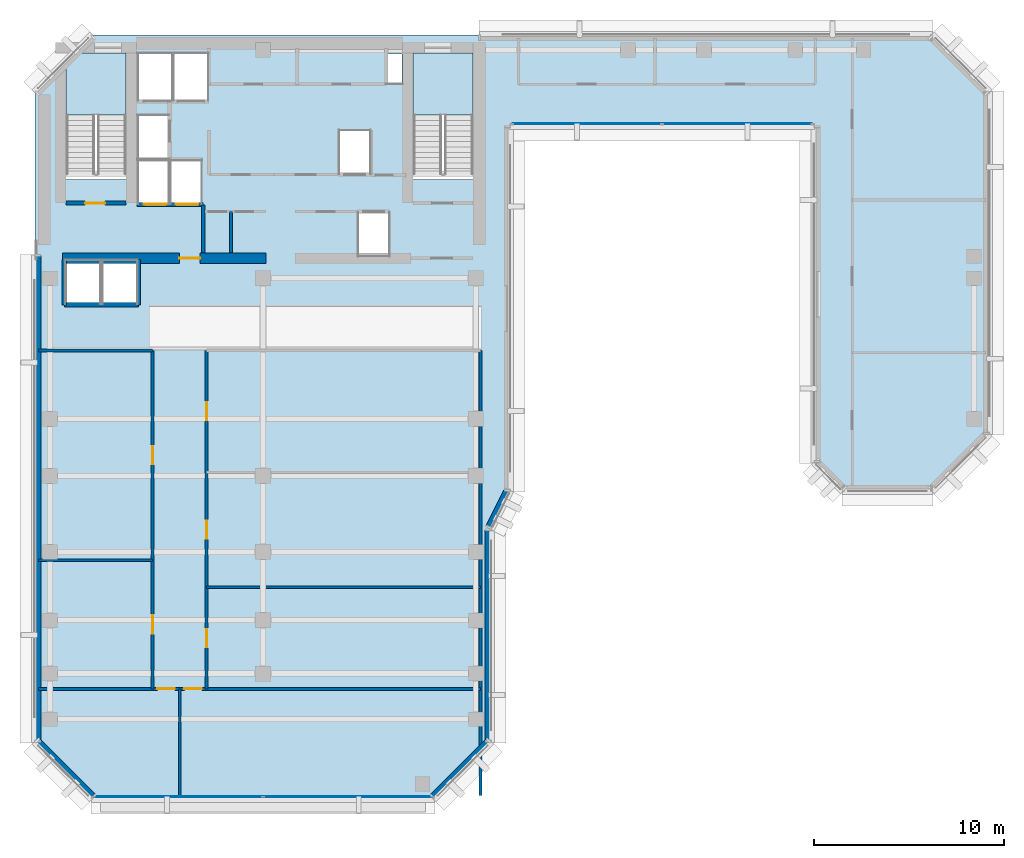
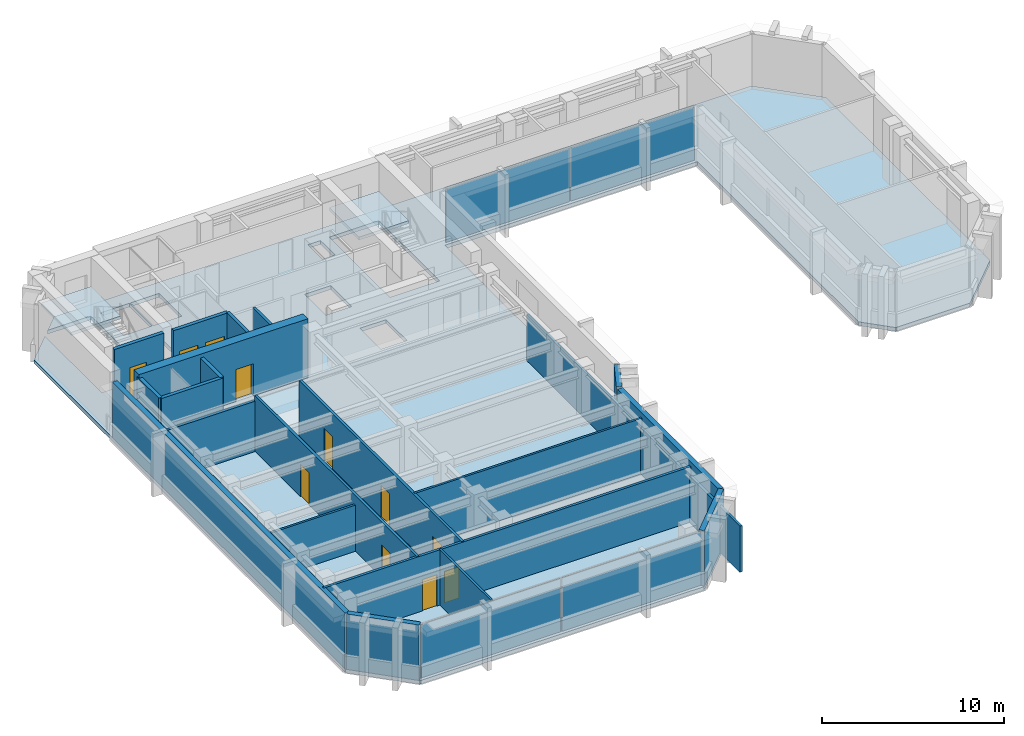
# One storey, part 5 of 11: 21 walls, 11 doors, 4 plates, 3 slabs, 11 openings, 4 elements without a shape of their own.
"""IFC4 building model written with IfcOpenShell, lengths in metres."""

from ifc_helpers import new_model, si_unit, direction, frame, frame_2d, origin, origin_2d, place, context, subcontext, project, spatial, polyline, rectangle, outline, extrude, material, layer, layer_set, type_object, element, fill, aggregate, save


model = new_model("IFC4")

# Units and contexts
model_context = context("Model", 3, precision=1e-05, world=origin(), true_north=direction((0.0, 1.0)))
body_context = subcontext(model_context, "Body", "Model", "MODEL_VIEW")
ifc_project = project(units=[si_unit("LENGTHUNIT", "METRE"), si_unit("AREAUNIT", "SQUARE_METRE"), si_unit("VOLUMEUNIT", "CUBIC_METRE"), si_unit("PLANEANGLEUNIT", "RADIAN"), si_unit("MASSUNIT", "GRAM", prefix="KILO")], contexts=[model_context])

# Site, building, storey
site_placement = place(None, origin())
site = spatial("IfcSite", under=ifc_project, at=site_placement, CompositionType="ELEMENT")
building_placement = place(site_placement, origin())
building = spatial("IfcBuilding", under=site, at=building_placement, Name="Kefirva Bronze Tower", CompositionType="ELEMENT")
storey_placement = place(building_placement, frame((0.0, 0.0, 239.580078125)))
storey = spatial("IfcBuildingStorey", under=building, at=storey_placement, Name="L58", CompositionType="ELEMENT", Elevation=239.580078125)

# Stair, slab
ifc_material_1 = material(Name="Concrete C40/50", Category="concrete")
stair_type = type_object("IfcStairType", Name="RC Dogleg Protected Stair 24R", PredefinedType="HALF_TURN_STAIR", material=ifc_material_1)
stair_1_placement = place(storey_placement, origin())
stair_1 = element("IfcStair", 1, at=stair_1_placement, inside=storey, type_object=stair_type, Name="L58 Protected Exit Stair 1", PredefinedType="HALF_TURN_STAIR")
ifc_layer_1 = layer(ifc_material_1, 0.199951171875, Name="Concrete C40/50")
ifc_layer_set_1 = layer_set([ifc_layer_1], Name="Concrete C40/50")
slab_type_1 = type_object("IfcSlabType", Name="RC Stair Landing Slab 200mm", PredefinedType="LANDING", material=ifc_layer_set_1)
slab_1_placement = place(storey_placement, frame((0.0, 0.0, 1.780029296875)))
slab_1 = element("IfcSlab", 2, at=slab_1_placement, type_object=slab_type_1, Name="ST-1 landing 1", PredefinedType="LANDING", context=body_context, shape_type="SweptSolid", body=[
    extrude(outline(polyline([(4.800048828125, 41.780029296875), (4.800048828125, 45.050048828125), (1.64990234375, 45.050048828125), (1.64990234375, 41.780029296875), (4.800048828125, 41.780029296875)])), origin(), (0.0, 0.0, 1.0), 0.199951171875),
])
aggregate(stair_1, [slab_1])

stair_2_placement = place(storey_placement, origin())
stair_2 = element("IfcStair", 3, at=stair_2_placement, inside=storey, type_object=stair_type, Name="L58 Protected Exit Stair 2", PredefinedType="HALF_TURN_STAIR")
slab_2_placement = place(storey_placement, frame((0.0, 0.0, 1.780029296875)))
slab_2 = element("IfcSlab", 4, at=slab_2_placement, type_object=slab_type_1, Name="ST-2 landing 1", PredefinedType="LANDING", context=body_context, shape_type="SweptSolid", body=[
    extrude(outline(polyline([(23.050048828125, 41.780029296875), (23.050048828125, 45.050048828125), (19.89990234375, 45.050048828125), (19.89990234375, 41.780029296875), (23.050048828125, 41.780029296875)])), origin(), (0.0, 0.0, 1.0), 0.199951171875),
])
aggregate(stair_2, [slab_2])

# Slab
ifc_layer_2 = layer(ifc_material_1, 0.25, Name="Concrete C40/50")
ifc_layer_set_2 = layer_set([ifc_layer_2], Name="Concrete C40/50")
slab_type_2 = type_object("IfcSlabType", Name="RC Tower Floor Slab 250mm", PredefinedType="FLOOR", material=ifc_layer_set_2)
slab_3_placement = place(storey_placement, frame((0.0, 0.0, -0.25)))
element("IfcSlab", 5, at=slab_3_placement, inside=storey, type_object=slab_type_2, Name="L58 Structural Floor Slab", PredefinedType="FLOOR", context=body_context, shape_type="SweptSolid", body=[
    extrude(outline(polyline([(0.0, 8.800048828125), (0.0, 43.0), (1.64990234375, 44.64990234375), (1.64990234375, 38.39990234375), (4.800048828125, 38.39990234375), (4.800048828125, 45.050048828125), (2.050048828125, 45.050048828125), (3.0, 46.0), (47.199951171875, 46.0), (50.199951171875, 43.0), (50.199951171875, 25.0), (47.199951171875, 22.0), (42.5, 22.0), (41.0, 23.5), (41.0, 41.199951171875), (25.0, 41.199951171875), (25.0, 22.0), (24.0, 20.0), (24.0, 8.800048828125), (21.0, 5.800048828125), (3.0, 5.800048828125), (0.0, 8.800048828125)]), holes=[polyline([(23.050048828125, 45.050048828125), (19.89990234375, 45.050048828125), (19.89990234375, 38.39990234375), (23.050048828125, 38.39990234375), (23.050048828125, 45.050048828125)]), polyline([(19.320068359375, 43.419921875), (19.320068359375, 45.0), (18.52001953125, 45.0), (18.52001953125, 43.419921875), (19.320068359375, 43.419921875)]), polyline([(18.64990234375, 36.64990234375), (17.0, 36.64990234375), (17.0, 34.35009765625), (18.64990234375, 34.35009765625), (18.64990234375, 36.64990234375)]), polyline([(17.64990234375, 38.679931640625), (17.64990234375, 40.97998046875), (16.0, 40.97998046875), (16.0, 38.679931640625), (17.64990234375, 38.679931640625)]), polyline([(9.1201171875, 42.550048828125), (9.1201171875, 45.050048828125), (7.300048828125, 45.050048828125), (7.300048828125, 42.550048828125), (9.1201171875, 42.550048828125)]), polyline([(8.780029296875, 37.10009765625), (8.780029296875, 39.39990234375), (7.139892578125, 39.39990234375), (7.139892578125, 37.10009765625), (8.780029296875, 37.10009765625)]), polyline([(7.239990234375, 42.550048828125), (7.239990234375, 45.050048828125), (5.419921875, 45.050048828125), (5.419921875, 42.550048828125), (7.239990234375, 42.550048828125)]), polyline([(7.06005859375, 37.10009765625), (7.06005859375, 39.39990234375), (5.419921875, 39.39990234375), (5.419921875, 37.10009765625), (7.06005859375, 37.10009765625)]), polyline([(7.06005859375, 41.780029296875), (5.419921875, 41.780029296875), (5.419921875, 39.47998046875), (7.06005859375, 39.47998046875), (7.06005859375, 41.780029296875)]), polyline([(5.39990234375, 31.85009765625), (5.39990234375, 34.14990234375), (3.550048828125, 34.14990234375), (3.550048828125, 31.85009765625), (5.39990234375, 31.85009765625)]), polyline([(3.449951171875, 34.14990234375), (1.60009765625, 34.14990234375), (1.60009765625, 31.85009765625), (3.449951171875, 31.85009765625), (3.449951171875, 34.14990234375)])]), origin(), (0.0, 0.0, 1.0), 0.25),
])

# Curtain wall, plates
ifc_material_2 = material(Name="Bronze anodised aluminium", Category="aluminium")
ifc_layer_3 = layer(ifc_material_2, 0.179931640625, Name="Bronze anodised aluminium")
ifc_layer_set_3 = layer_set([ifc_layer_3], Name="Bronze anodised aluminium")
curtain_wall_type = type_object("IfcCurtainWallType", Name="Unitised Bronze Ribbon Curtain Wall Zone 3", PredefinedType="USERDEFINED", material=ifc_layer_set_3)
curtain_wall_1_placement = place(storey_placement, origin())
curtain_wall_1 = element("IfcCurtainWall", 6, at=curtain_wall_1_placement, inside=storey, type_object=curtain_wall_type, Name="L58 Curtain Wall 1", ObjectType="UNITISED CURTAIN WALL", PredefinedType="USERDEFINED")
ifc_material_3 = material(Name="Laminated low-E double glazing", Category="glass")
ifc_layer_4 = layer(ifc_material_3, 0.031982421875, Name="Laminated low-E double glazing")
ifc_layer_set_4 = layer_set([ifc_layer_4], Name="Laminated low-E double glazing")
plate_type = type_object("IfcPlateType", Name="Solar-Control Low-E Vision Panel 32mm", PredefinedType="CURTAIN_PANEL", material=ifc_layer_set_4)
plate_1_placement = place(storey_placement, frame((7.546142578125, 5.919921875, 0.074951171875), z_axis=(0.0, 0.0, 1.0), x_axis=(1.0, 0.0, 0.0)))
plate_1 = element("IfcPlate", 7, at=plate_1_placement, type_object=plate_type, Name="CW-03 panel 1.1", PredefinedType="CURTAIN_PANEL", context=body_context, shape_type="SweptSolid", body=[
    extrude(rectangle(XDim=8.83251953125, YDim=0.031982421875, at=origin_2d()), origin(), (0.0, 0.0, 1.0), 3.56005859375),
])
plate_2_placement = place(storey_placement, frame((16.453857421875, 5.919921875, 0.074951171875), z_axis=(0.0, 0.0, 1.0), x_axis=(1.0, 0.0, 0.0)))
plate_2 = element("IfcPlate", 8, at=plate_2_placement, type_object=plate_type, Name="CW-03 panel 2.1", PredefinedType="CURTAIN_PANEL", context=body_context, shape_type="SweptSolid", body=[
    extrude(rectangle(XDim=8.83251953125, YDim=0.031982421875, at=origin_2d()), origin(), (0.0, 0.0, 1.0), 3.56005859375),
])
aggregate(curtain_wall_1, [plate_1, plate_2])

curtain_wall_2_placement = place(storey_placement, origin())
curtain_wall_2 = element("IfcCurtainWall", 9, at=curtain_wall_2_placement, inside=storey, type_object=curtain_wall_type, Name="L58 Curtain Wall 2", ObjectType="UNITISED CURTAIN WALL", PredefinedType="USERDEFINED")
plate_3_placement = place(storey_placement, frame((29.046142578125, 41.320068359375, 0.074951171875), z_axis=(0.0, 0.0, 1.0), x_axis=(1.0, 0.0, 0.0)))
plate_3 = element("IfcPlate", 10, at=plate_3_placement, type_object=plate_type, Name="CW-03 panel 1.1", PredefinedType="CURTAIN_PANEL", context=body_context, shape_type="SweptSolid", body=[
    extrude(rectangle(XDim=7.83251953125, YDim=0.031982421875, at=origin_2d()), origin(), (0.0, 0.0, 1.0), 3.56005859375),
])
plate_4_placement = place(storey_placement, frame((36.953857421875, 41.320068359375, 0.074951171875), z_axis=(0.0, 0.0, 1.0), x_axis=(1.0, 0.0, 0.0)))
plate_4 = element("IfcPlate", 11, at=plate_4_placement, type_object=plate_type, Name="CW-03 panel 2.1", PredefinedType="CURTAIN_PANEL", context=body_context, shape_type="SweptSolid", body=[
    extrude(rectangle(XDim=7.83251953125, YDim=0.031982421875, at=origin_2d()), origin(), (0.0, 0.0, 1.0), 3.56005859375),
])
aggregate(curtain_wall_2, [plate_3, plate_4])

# Walls
ifc_material_4 = material(Name="Gypsum acoustic partition")
ifc_layer_5 = layer(ifc_material_4, 0.1298828125, Name="Gypsum acoustic partition")
ifc_layer_set_5 = layer_set([ifc_layer_5], Name="Gypsum acoustic partition")
wall_type_1 = type_object("IfcWallType", Name="Acoustic Office Partition 130mm", PredefinedType="PARTITIONING", material=ifc_layer_set_5)
wall_1_placement = place(storey_placement, frame((7.6201171875, 5.989990234375, 0.0), z_axis=(0.0, 0.0, 1.0), x_axis=(0.0, 1.0, 0.0)))
element("IfcWall", 12, at=wall_1_placement, inside=storey, type_object=wall_type_1, Name="L58 Partition W-L58-CAPDV", PredefinedType="PARTITIONING", context=body_context, shape_type="SweptSolid", body=[
    extrude(rectangle(XDim=5.610107421875, YDim=0.1298828125, at=frame_2d((2.80517578125, 0.0))), origin(), (0.0, 0.0, 1.0), 3.7099609375),
])
wall_2_placement = place(storey_placement, frame((0.18994140625, 18.364013671875, 0.0), z_axis=(0.0, 0.0, 1.0), x_axis=(1.0, 0.0, 0.0)))
element("IfcWall", 13, at=wall_2_placement, inside=storey, type_object=wall_type_1, Name="L58 Partition W-L58-SWD1", PredefinedType="PARTITIONING", context=body_context, shape_type="SweptSolid", body=[
    extrude(rectangle(XDim=6.010009765625, YDim=0.1298828125, at=frame_2d((3.0048828125, 0.0))), origin(), (0.0, 0.0, 1.0), 3.094970703125),
])
wall_3_placement = place(storey_placement, frame((9.0400390625, 16.93994140625, 0.0), z_axis=(0.0, 0.0, 1.0), x_axis=(1.0, 0.0, 0.0)))
element("IfcWall", 14, at=wall_3_placement, inside=storey, type_object=wall_type_1, Name="L58 Partition W-L58-SED1", PredefinedType="PARTITIONING", context=body_context, shape_type="SweptSolid", body=[
    extrude(rectangle(XDim=14.409912109375, YDim=0.1298828125, at=frame_2d((7.205078125, 0.0))), origin(), (0.0, 0.0, 1.0), 3.7099609375),
])

# Wall, opening, door
ifc_material_5 = material(Name="Gypsum fireboard shaftwall")
ifc_layer_6 = layer(ifc_material_5, 0.219970703125, Name="Gypsum fireboard shaftwall")
ifc_layer_set_6 = layer_set([ifc_layer_6], Name="Gypsum fireboard shaftwall")
wall_type_2 = type_object("IfcWallType", Name="Fire-Rated Shaft Enclosure Wall 220mm", PredefinedType="PARTITIONING", material=ifc_layer_set_6)
wall_4_placement = place(storey_placement, frame((1.64990234375, 37.14990234375, 0.0), z_axis=(0.0, 0.0, 1.0), x_axis=(1.0, 0.0, 0.0)))
wall_4 = element("IfcWall", 15, at=wall_4_placement, inside=storey, type_object=wall_type_2, Name="L58 Partition W-L58-ST1S", PredefinedType="PARTITIONING", context=body_context, shape_type="SweptSolid", body=[
    extrude(rectangle(XDim=3.150146484375, YDim=0.219970703125, at=frame_2d((1.5751953125, 0.0))), origin(), (0.0, 0.0, 1.0), 3.7099609375),
])
opening_1_placement = place(wall_4_placement, frame((2.050048828125, 0.0, 0.0), z_axis=(0.0, 0.0, 1.0), x_axis=(-1.0, 0.0, 0.0)))
opening_1 = element("IfcOpeningElement", 16, at=opening_1_placement, cuts=wall_4, Name="Opening L58-D001", PredefinedType="OPENING", context=body_context, shape_type="SweptSolid", body=[
    extrude(rectangle(XDim=1.050048828125, YDim=2.14990234375, at=frame_2d((0.52490234375, 1.074951171875))), frame((0.0, 0.1201171875, 0.0), z_axis=(0.0, -1.0, 0.0), x_axis=(1.0, 0.0, 0.0)), (0.0, 0.0, 1.0), 0.239990234375),
])
ifc_material_6 = material(Name="Painted galvanized steel", Category="steel")
door_type_1 = type_object("IfcDoorType", Name="Fire Stair Enclosure Door 1050x2150 FD90S", OperationType="NOTDEFINED", PredefinedType="DOOR", material=ifc_material_6)
door_1_placement = place(opening_1_placement, origin())
door_1 = element("IfcDoor", 17, at=door_1_placement, inside=storey, type_object=door_type_1, Name="Door L58-D001", OperationType="SINGLE_SWING_RIGHT", OverallHeight=2.14990234375, OverallWidth=1.050048828125, PredefinedType="DOOR", context=body_context, shape_type="SweptSolid", body=[
    extrude(rectangle(XDim=1.050048828125, YDim=2.14990234375, at=frame_2d((0.52490234375, 1.074951171875))), frame((0.0, 0.02490234375, 0.0), z_axis=(0.0, -1.0, 0.0), x_axis=(1.0, 0.0, 0.0)), (0.0, 0.0, 1.0), 0.050048828125),
])
fill(opening_1, door_1)

# Wall, openings, doors
wall_5_placement = place(storey_placement, frame((5.3798828125, 37.080078125, 0.0), z_axis=(0.0, 0.0, 1.0), x_axis=(1.0, 0.0, 0.0)))
wall_5 = element("IfcWall", 18, at=wall_5_placement, inside=storey, type_object=wall_type_2, Name="L58 Partition W-L58-FFS", PredefinedType="PARTITIONING", context=body_context, shape_type="SweptSolid", body=[
    extrude(rectangle(XDim=3.460205078125, YDim=0.219970703125, at=frame_2d((1.72998046875, 0.0))), origin(), (0.0, 0.0, 1.0), 3.7099609375),
])
opening_2_placement = place(wall_5_placement, frame((1.550048828125, 0.0, 0.0), z_axis=(0.0, 0.0, 1.0), x_axis=(-1.0, 0.0, 0.0)))
opening_2 = element("IfcOpeningElement", 19, at=opening_2_placement, cuts=wall_5, Name="Opening L58-LD-FF1", PredefinedType="OPENING", context=body_context, shape_type="SweptSolid", body=[
    extrude(rectangle(XDim=1.199951171875, YDim=2.199951171875, at=frame_2d((0.60009765625, 1.10009765625))), frame((0.0, 0.1201171875, 0.0), z_axis=(0.0, -1.0, 0.0), x_axis=(1.0, 0.0, 0.0)), (0.0, 0.0, 1.0), 0.239990234375),
])
opening_3_placement = place(wall_5_placement, frame((3.219970703125, 0.0, 0.0), z_axis=(0.0, 0.0, 1.0), x_axis=(-1.0, 0.0, 0.0)))
opening_3 = element("IfcOpeningElement", 20, at=opening_3_placement, cuts=wall_5, Name="Opening L58-LD-FF2", PredefinedType="OPENING", context=body_context, shape_type="SweptSolid", body=[
    extrude(rectangle(XDim=1.199951171875, YDim=2.199951171875, at=frame_2d((0.60009765625, 1.10009765625))), frame((0.0, 0.1201171875, 0.0), z_axis=(0.0, -1.0, 0.0), x_axis=(1.0, 0.0, 0.0)), (0.0, 0.0, 1.0), 0.239990234375),
])
ifc_material_7 = material(Name="Stainless steel 316", Category="steel")
door_type_2 = type_object("IfcDoorType", Name="Firefighting Lift Sliding Door 1200x2200", OperationType="SLIDING_TO_RIGHT", PredefinedType="DOOR", material=ifc_material_7)
door_2_placement = place(opening_2_placement, origin())
door_2 = element("IfcDoor", 21, at=door_2_placement, inside=storey, type_object=door_type_2, Name="Door L58-LD-FF1", OperationType="SLIDING_TO_RIGHT", OverallHeight=2.199951171875, OverallWidth=1.199951171875, PredefinedType="DOOR", context=body_context, shape_type="SweptSolid", body=[
    extrude(rectangle(XDim=1.199951171875, YDim=2.199951171875, at=frame_2d((0.60009765625, 1.10009765625))), frame((0.0, 0.02490234375, 0.0), z_axis=(0.0, -1.0, 0.0), x_axis=(1.0, 0.0, 0.0)), (0.0, 0.0, 1.0), 0.050048828125),
])
fill(opening_2, door_2)
door_3_placement = place(opening_3_placement, origin())
door_3 = element("IfcDoor", 22, at=door_3_placement, inside=storey, type_object=door_type_2, Name="Door L58-LD-FF2", OperationType="SLIDING_TO_RIGHT", OverallHeight=2.199951171875, OverallWidth=1.199951171875, PredefinedType="DOOR", context=body_context, shape_type="SweptSolid", body=[
    extrude(rectangle(XDim=1.199951171875, YDim=2.199951171875, at=frame_2d((0.60009765625, 1.10009765625))), frame((0.0, 0.02490234375, 0.0), z_axis=(0.0, -1.0, 0.0), x_axis=(1.0, 0.0, 0.0)), (0.0, 0.0, 1.0), 0.050048828125),
])
fill(opening_3, door_3)

# Walls
wall_6_placement = place(storey_placement, frame((1.550048828125, 31.800048828125, 0.0), z_axis=(0.0, 0.0, 1.0), x_axis=(1.0, 0.0, 0.0)))
element("IfcWall", 23, at=wall_6_placement, inside=storey, type_object=wall_type_2, Name="L58 Partition W-L58-OBS", PredefinedType="PARTITIONING", context=body_context, shape_type="SweptSolid", body=[
    extrude(rectangle(XDim=3.89990234375, YDim=0.219970703125, at=frame_2d((1.949951171875, 0.0))), origin(), (0.0, 0.0, 1.0), 3.7099609375),
])
for number, where, z_axis, x_axis, name in (
    (24, (1.550048828125, 31.800048828125, 0.0), (0.0, 0.0, 1.0), (0.0, 1.0, 0.0), "L58 Partition W-L58-OBW"),
    (25, (5.449951171875, 31.800048828125, 0.0), (0.0, 0.0, 1.0), (0.0, 1.0, 0.0), "L58 Partition W-L58-OBE"),
):
    element("IfcWall", number, at=place(storey_placement, frame(where, z_axis=z_axis, x_axis=x_axis)), inside=storey, type_object=wall_type_2, Name=name, PredefinedType="PARTITIONING", context=body_context, shape_type="SweptSolid", body=[
        extrude(rectangle(XDim=2.3798828125, YDim=0.219970703125, at=frame_2d((1.18994140625, 0.0))), origin(), (0.0, 0.0, 1.0), 3.7099609375),
    ])
ifc_material_8 = material(Name="Gypsum fireboard barrier")
ifc_layer_7 = layer(ifc_material_8, 0.199951171875, Name="Gypsum fireboard barrier")
ifc_layer_set_7 = layer_set([ifc_layer_7], Name="Gypsum fireboard barrier")
wall_type_3 = type_object("IfcWallType", Name="Firefighting Lobby Barrier Wall 200mm", PredefinedType="PARTITIONING", material=ifc_layer_set_7)
wall_7_placement = place(storey_placement, frame((8.860107421875, 34.550048828125, 0.0), z_axis=(0.0, 0.0, 1.0), x_axis=(0.0, 1.0, 0.0)))
element("IfcWall", 26, at=wall_7_placement, inside=storey, type_object=wall_type_3, Name="L58 Partition W-L58-FFLE", PredefinedType="PARTITIONING", context=body_context, shape_type="SweptSolid", body=[
    extrude(rectangle(XDim=2.5, YDim=0.199951171875, at=frame_2d((1.25, 0.0))), origin(), (0.0, 0.0, 1.0), 3.7099609375),
])
ifc_material_9 = material(Name="Precast concrete C40/50", Category="concrete")
ifc_layer_8 = layer(ifc_material_9, 0.320068359375, Name="Precast concrete C40/50")
ifc_layer_set_8 = layer_set([ifc_layer_8], Name="Precast concrete C40/50")
wall_type_4 = type_object("IfcWallType", Name="Precast Insulated Exterior Wall 320mm", PredefinedType="SOLIDWALL", material=ifc_layer_set_8)
wall_8_placement = place(storey_placement, frame((20.92578125, 5.951904296875, 0.0), z_axis=(0.0, 0.0, 1.0), x_axis=(0.707077242712, 0.707136318428, 0.0)))
element("IfcWall", 27, at=wall_8_placement, inside=storey, type_object=wall_type_4, Name="L58 Exterior Facade Wall 1", PredefinedType="SOLIDWALL", context=body_context, shape_type="SweptSolid", body=[
    extrude(rectangle(XDim=4.132568359375, YDim=0.320068359375, at=frame_2d((2.06640625, 0.0))), origin(), (0.0, 0.0, 1.0), 3.7099609375),
])
wall_9_placement = place(storey_placement, frame((23.840087890625, 8.85498046875, 0.0), z_axis=(0.0, 0.0, 1.0), x_axis=(0.0, 1.0, 0.0)))
element("IfcWall", 28, at=wall_9_placement, inside=storey, type_object=wall_type_4, Name="L58 Exterior Facade Wall 2", PredefinedType="SOLIDWALL", context=body_context, shape_type="SweptSolid", body=[
    extrude(rectangle(XDim=11.090087890625, YDim=0.320068359375, at=frame_2d((5.544921875, 0.0))), origin(), (0.0, 0.0, 1.0), 3.7099609375),
])
wall_10_placement = place(storey_placement, frame((23.881591796875, 20.12060546875, 0.0), z_axis=(0.0, 0.0, 1.0), x_axis=(0.447121734542, 0.894473115583, 0.0)))
element("IfcWall", 29, at=wall_10_placement, inside=storey, type_object=wall_type_4, Name="L58 Exterior Facade Wall 3", PredefinedType="SOLIDWALL", context=body_context, shape_type="SweptSolid", body=[
    extrude(rectangle(XDim=2.126220703125, YDim=0.320068359375, at=frame_2d((1.06298828125, 0.0))), origin(), (0.0, 0.0, 1.0), 3.7099609375),
])
wall_11_placement = place(storey_placement, frame((0.159912109375, 34.39501953125, 0.0), z_axis=(0.0, 0.0, 1.0), x_axis=(0.0, -1.0, 0.0)))
element("IfcWall", 30, at=wall_11_placement, inside=storey, type_object=wall_type_4, Name="L58 Exterior Facade Wall 13", PredefinedType="SOLIDWALL", context=body_context, shape_type="SweptSolid", body=[
    extrude(rectangle(XDim=25.5400390625, YDim=0.320068359375, at=frame_2d((12.77001953125, 0.0))), origin(), (0.0, 0.0, 1.0), 3.7099609375),
])
wall_12_placement = place(storey_placement, frame((0.152099609375, 8.874267578125, 0.0), z_axis=(0.0, 0.0, 1.0), x_axis=(0.707077242712, -0.707136318428, 0.0)))
element("IfcWall", 31, at=wall_12_placement, inside=storey, type_object=wall_type_4, Name="L58 Exterior Facade Wall 14", PredefinedType="SOLIDWALL", context=body_context, shape_type="SweptSolid", body=[
    extrude(rectangle(XDim=4.132568359375, YDim=0.320068359375, at=frame_2d((2.06640625, 0.0))), origin(), (0.0, 0.0, 1.0), 3.7099609375),
])
ifc_layer_9 = layer(ifc_material_4, 0.159912109375, Name="Gypsum acoustic partition")
ifc_layer_set_9 = layer_set([ifc_layer_9], Name="Gypsum acoustic partition")
wall_type_5 = type_object("IfcWallType", Name="Protected Corridor Partition 160mm", PredefinedType="PARTITIONING", material=ifc_layer_set_9)
wall_13_placement = place(storey_placement, frame((10.320068359375, 34.550048828125, 0.0), z_axis=(0.0, 0.0, 1.0), x_axis=(0.0, 1.0, 0.0)))
element("IfcWall", 32, at=wall_13_placement, inside=storey, type_object=wall_type_5, Name="L58 Partition W-L58-RECLP1D", PredefinedType="PARTITIONING", context=body_context, shape_type="SweptSolid", body=[
    extrude(rectangle(XDim=2.14990234375, YDim=0.159912109375, at=frame_2d((1.074951171875, 0.0))), origin(), (0.0, 0.0, 1.0), 3.7099609375),
])

# Wall, openings, doors
wall_14_placement = place(storey_placement, frame((6.199951171875, 11.60009765625, 0.0), z_axis=(0.0, 0.0, 1.0), x_axis=(0.0, 1.0, 0.0)))
wall_14 = element("IfcWall", 33, at=wall_14_placement, inside=storey, type_object=wall_type_5, Name="L58 Partition W-L58-SWCORW", PredefinedType="PARTITIONING", context=body_context, shape_type="SweptSolid", body=[
    extrude(rectangle(XDim=17.7998046875, YDim=0.159912109375, at=frame_2d((8.89990234375, 0.0))), origin(), (0.0, 0.0, 1.0), 3.7099609375),
])
opening_4_placement = place(wall_14_placement, frame((3.85693359375, 0.0, 0.0), z_axis=(0.0, 0.0, 1.0), x_axis=(-1.0, 0.0, 0.0)))
opening_4 = element("IfcOpeningElement", 34, at=opening_4_placement, cuts=wall_14, Name="Opening L58-D-SW1", PredefinedType="OPENING", context=body_context, shape_type="SweptSolid", body=[
    extrude(rectangle(XDim=0.949951171875, YDim=2.14990234375, at=frame_2d((0.47509765625, 1.074951171875))), frame((0.0, 0.08984375, 0.0), z_axis=(0.0, -1.0, 0.0), x_axis=(1.0, 0.0, 0.0)), (0.0, 0.0, 1.0), 0.179931640625),
])
opening_5_placement = place(wall_14_placement, frame((12.7568359375, 0.0, 0.0), z_axis=(0.0, 0.0, 1.0), x_axis=(-1.0, 0.0, 0.0)))
opening_5 = element("IfcOpeningElement", 35, at=opening_5_placement, cuts=wall_14, Name="Opening L58-D-SW2", PredefinedType="OPENING", context=body_context, shape_type="SweptSolid", body=[
    extrude(rectangle(XDim=0.949951171875, YDim=2.14990234375, at=frame_2d((0.47509765625, 1.074951171875))), frame((0.0, 0.08984375, 0.0), z_axis=(0.0, -1.0, 0.0), x_axis=(1.0, 0.0, 0.0)), (0.0, 0.0, 1.0), 0.179931640625),
])
ifc_material_10 = material(Name="Acoustic hardwood oak", Category="wood")
door_type_3 = type_object("IfcDoorType", Name="Office & Meeting Room Door 950x2150", OperationType="NOTDEFINED", PredefinedType="DOOR", material=ifc_material_10)
door_4_placement = place(opening_4_placement, origin())
door_4 = element("IfcDoor", 36, at=door_4_placement, inside=storey, type_object=door_type_3, Name="Door L58-D-SW1", OperationType="SINGLE_SWING_RIGHT", OverallHeight=2.14990234375, OverallWidth=0.949951171875, PredefinedType="DOOR", context=body_context, shape_type="SweptSolid", body=[
    extrude(rectangle(XDim=0.949951171875, YDim=2.14990234375, at=frame_2d((0.47509765625, 1.074951171875))), frame((0.0, 0.02490234375, 0.0), z_axis=(0.0, -1.0, 0.0), x_axis=(1.0, 0.0, 0.0)), (0.0, 0.0, 1.0), 0.050048828125),
])
fill(opening_4, door_4)
door_5_placement = place(opening_5_placement, origin())
door_5 = element("IfcDoor", 37, at=door_5_placement, inside=storey, type_object=door_type_3, Name="Door L58-D-SW2", OperationType="SINGLE_SWING_LEFT", OverallHeight=2.14990234375, OverallWidth=0.949951171875, PredefinedType="DOOR", context=body_context, shape_type="SweptSolid", body=[
    extrude(rectangle(XDim=0.949951171875, YDim=2.14990234375, at=frame_2d((0.47509765625, 1.074951171875))), frame((0.0, 0.02490234375, 0.0), z_axis=(0.0, -1.0, 0.0), x_axis=(1.0, 0.0, 0.0)), (0.0, 0.0, 1.0), 0.050048828125),
])
fill(opening_5, door_5)

wall_15_placement = place(storey_placement, frame((9.0400390625, 11.60009765625, 0.0), z_axis=(0.0, 0.0, 1.0), x_axis=(0.0, 1.0, 0.0)))
wall_15 = element("IfcWall", 38, at=wall_15_placement, inside=storey, type_object=wall_type_5, Name="L58 Partition W-L58-SECORE", PredefinedType="PARTITIONING", context=body_context, shape_type="SweptSolid", body=[
    extrude(rectangle(XDim=17.7998046875, YDim=0.159912109375, at=frame_2d((8.89990234375, 0.0))), origin(), (0.0, 0.0, 1.0), 3.7099609375),
])
opening_6_placement = place(wall_15_placement, frame((2.195068359375, 0.0, 0.0)))
opening_6 = element("IfcOpeningElement", 39, at=opening_6_placement, cuts=wall_15, Name="Opening L58-D-SE1", PredefinedType="OPENING", context=body_context, shape_type="SweptSolid", body=[
    extrude(rectangle(XDim=0.949951171875, YDim=2.14990234375, at=frame_2d((0.47509765625, 1.074951171875))), frame((0.0, 0.08984375, 0.0), z_axis=(0.0, -1.0, 0.0), x_axis=(1.0, 0.0, 0.0)), (0.0, 0.0, 1.0), 0.179931640625),
])
opening_7_placement = place(wall_15_placement, frame((7.89111328125, 0.0, 0.0)))
opening_7 = element("IfcOpeningElement", 40, at=opening_7_placement, cuts=wall_15, Name="Opening L58-D-SE2", PredefinedType="OPENING", context=body_context, shape_type="SweptSolid", body=[
    extrude(rectangle(XDim=0.949951171875, YDim=2.14990234375, at=frame_2d((0.47509765625, 1.074951171875))), frame((0.0, 0.08984375, 0.0), z_axis=(0.0, -1.0, 0.0), x_axis=(1.0, 0.0, 0.0)), (0.0, 0.0, 1.0), 0.179931640625),
])
opening_8_placement = place(wall_15_placement, frame((14.12109375, 0.0, 0.0)))
opening_8 = element("IfcOpeningElement", 41, at=opening_8_placement, cuts=wall_15, Name="Opening L58-D-SE3", PredefinedType="OPENING", context=body_context, shape_type="SweptSolid", body=[
    extrude(rectangle(XDim=0.949951171875, YDim=2.14990234375, at=frame_2d((0.47509765625, 1.074951171875))), frame((0.0, 0.08984375, 0.0), z_axis=(0.0, -1.0, 0.0), x_axis=(1.0, 0.0, 0.0)), (0.0, 0.0, 1.0), 0.179931640625),
])
door_6_placement = place(opening_6_placement, origin())
door_6 = element("IfcDoor", 42, at=door_6_placement, inside=storey, type_object=door_type_3, Name="Door L58-D-SE1", OperationType="SINGLE_SWING_RIGHT", OverallHeight=2.14990234375, OverallWidth=0.949951171875, PredefinedType="DOOR", context=body_context, shape_type="SweptSolid", body=[
    extrude(rectangle(XDim=0.949951171875, YDim=2.14990234375, at=frame_2d((0.47509765625, 1.074951171875))), frame((0.0, 0.02490234375, 0.0), z_axis=(0.0, -1.0, 0.0), x_axis=(1.0, 0.0, 0.0)), (0.0, 0.0, 1.0), 0.050048828125),
])
fill(opening_6, door_6)
door_7_placement = place(opening_7_placement, origin())
door_7 = element("IfcDoor", 43, at=door_7_placement, inside=storey, type_object=door_type_3, Name="Door L58-D-SE2", OperationType="SINGLE_SWING_LEFT", OverallHeight=2.14990234375, OverallWidth=0.949951171875, PredefinedType="DOOR", context=body_context, shape_type="SweptSolid", body=[
    extrude(rectangle(XDim=0.949951171875, YDim=2.14990234375, at=frame_2d((0.47509765625, 1.074951171875))), frame((0.0, 0.02490234375, 0.0), z_axis=(0.0, -1.0, 0.0), x_axis=(1.0, 0.0, 0.0)), (0.0, 0.0, 1.0), 0.050048828125),
])
fill(opening_7, door_7)
door_8_placement = place(opening_8_placement, origin())
door_8 = element("IfcDoor", 44, at=door_8_placement, inside=storey, type_object=door_type_3, Name="Door L58-D-SE3", OperationType="SINGLE_SWING_RIGHT", OverallHeight=2.14990234375, OverallWidth=0.949951171875, PredefinedType="DOOR", context=body_context, shape_type="SweptSolid", body=[
    extrude(rectangle(XDim=0.949951171875, YDim=2.14990234375, at=frame_2d((0.47509765625, 1.074951171875))), frame((0.0, 0.02490234375, 0.0), z_axis=(0.0, -1.0, 0.0), x_axis=(1.0, 0.0, 0.0)), (0.0, 0.0, 1.0), 0.050048828125),
])
fill(opening_8, door_8)

wall_16_placement = place(storey_placement, frame((0.18994140625, 11.60009765625, 0.0), z_axis=(0.0, 0.0, 1.0), x_axis=(1.0, 0.0, 0.0)))
wall_16 = element("IfcWall", 45, at=wall_16_placement, inside=storey, type_object=wall_type_5, Name="L58 Partition W-L58-SBEND", PredefinedType="PARTITIONING", context=body_context, shape_type="SweptSolid", body=[
    extrude(rectangle(XDim=23.260009765625, YDim=0.159912109375, at=frame_2d((11.6298828125, 0.0))), origin(), (0.0, 0.0, 1.0), 3.7099609375),
])
opening_9_placement = place(wall_16_placement, frame((6.260009765625, 0.0, 0.0)))
opening_9 = element("IfcOpeningElement", 46, at=opening_9_placement, cuts=wall_16, Name="Opening L58-D-SEND1", PredefinedType="OPENING", context=body_context, shape_type="SweptSolid", body=[
    extrude(rectangle(XDim=0.919921875, YDim=2.10009765625, at=frame_2d((0.4599609375, 1.050048828125))), frame((0.0, 0.08984375, 0.0), z_axis=(0.0, -1.0, 0.0), x_axis=(1.0, 0.0, 0.0)), (0.0, 0.0, 1.0), 0.179931640625),
])
opening_10_placement = place(wall_16_placement, frame((7.679931640625, 0.0, 0.0)))
opening_10 = element("IfcOpeningElement", 47, at=opening_10_placement, cuts=wall_16, Name="Opening L58-D-SEND2", PredefinedType="OPENING", context=body_context, shape_type="SweptSolid", body=[
    extrude(rectangle(XDim=0.919921875, YDim=2.10009765625, at=frame_2d((0.4599609375, 1.050048828125))), frame((0.0, 0.08984375, 0.0), z_axis=(0.0, -1.0, 0.0), x_axis=(1.0, 0.0, 0.0)), (0.0, 0.0, 1.0), 0.179931640625),
])
ifc_material_11 = material(Name="Moisture-resistant timber", Category="wood")
door_type_4 = type_object("IfcDoorType", Name="Accessible Sanitary & WC Door 920x2100", OperationType="NOTDEFINED", PredefinedType="DOOR", material=ifc_material_11)
door_9_placement = place(opening_9_placement, origin())
door_9 = element("IfcDoor", 48, at=door_9_placement, inside=storey, type_object=door_type_4, Name="Door L58-D-SEND1", OperationType="SINGLE_SWING_RIGHT", OverallHeight=2.10009765625, OverallWidth=0.919921875, PredefinedType="DOOR", context=body_context, shape_type="SweptSolid", body=[
    extrude(rectangle(XDim=0.919921875, YDim=2.10009765625, at=frame_2d((0.4599609375, 1.050048828125))), frame((0.0, 0.02490234375, 0.0), z_axis=(0.0, -1.0, 0.0), x_axis=(1.0, 0.0, 0.0)), (0.0, 0.0, 1.0), 0.050048828125),
])
fill(opening_9, door_9)
door_10_placement = place(opening_10_placement, origin())
door_10 = element("IfcDoor", 49, at=door_10_placement, inside=storey, type_object=door_type_4, Name="Door L58-D-SEND2", OperationType="SINGLE_SWING_LEFT", OverallHeight=2.10009765625, OverallWidth=0.919921875, PredefinedType="DOOR", context=body_context, shape_type="SweptSolid", body=[
    extrude(rectangle(XDim=0.919921875, YDim=2.10009765625, at=frame_2d((0.4599609375, 1.050048828125))), frame((0.0, 0.02490234375, 0.0), z_axis=(0.0, -1.0, 0.0), x_axis=(1.0, 0.0, 0.0)), (0.0, 0.0, 1.0), 0.050048828125),
])
fill(opening_10, door_10)

# Walls
wall_17_placement = place(storey_placement, frame((0.18994140625, 29.39990234375, 0.0), z_axis=(0.0, 0.0, 1.0), x_axis=(1.0, 0.0, 0.0)))
element("IfcWall", 50, at=wall_17_placement, inside=storey, type_object=wall_type_5, Name="L58 Partition W-L58-NWT", PredefinedType="PARTITIONING", context=body_context, shape_type="SweptSolid", body=[
    extrude(rectangle(XDim=6.010009765625, YDim=0.159912109375, at=frame_2d((3.0048828125, 0.0))), origin(), (0.0, 0.0, 1.0), 3.364990234375),
])
wall_18_placement = place(storey_placement, frame((23.449951171875, 5.989990234375, 0.0), z_axis=(0.0, 0.0, 1.0), x_axis=(0.0, 1.0, 0.0)))
element("IfcWall", 51, at=wall_18_placement, inside=storey, type_object=wall_type_5, Name="L58 Partition W-L58-SWEAST", PredefinedType="PARTITIONING", context=body_context, shape_type="SweptSolid", body=[
    extrude(rectangle(XDim=23.409912109375, YDim=0.159912109375, at=frame_2d((11.705078125, 0.0))), origin(), (0.0, 0.0, 1.0), 3.094970703125),
])

# Wall, opening, door
ifc_material_12 = material(Name="Concrete C50/60", Category="concrete")
ifc_layer_10 = layer(ifc_material_12, 0.64990234375, Name="Concrete C50/60")
ifc_layer_set_10 = layer_set([ifc_layer_10], Name="Concrete C50/60")
wall_type_6 = type_object("IfcWallType", Name="RC Rear Core Interior Wall 650mm", PredefinedType="SHEAR", material=ifc_layer_set_10)
wall_19_placement = place(storey_placement, frame((1.449951171875, 34.25, 0.0), z_axis=(0.0, 0.0, 1.0), x_axis=(1.0, 0.0, 0.0)))
wall_19 = element("IfcWall", 52, at=wall_19_placement, inside=storey, type_object=wall_type_6, Name="L58 Rear Core South-West Shear Wall", PredefinedType="SHEAR", context=body_context, shape_type="SweptSolid", body=[
    extrude(rectangle(XDim=10.7099609375, YDim=0.550048828125, at=frame_2d((5.35498046875, 0.0))), origin(), (0.0, 0.0, 1.0), 3.9599609375),
])
opening_11_placement = place(wall_19_placement, frame((7.25, 0.0, 0.0), z_axis=(0.0, 0.0, 1.0), x_axis=(-1.0, 0.0, 0.0)))
opening_11 = element("IfcOpeningElement", 53, at=opening_11_placement, cuts=wall_19, Name="Opening L58-D002", PredefinedType="OPENING", context=body_context, shape_type="SweptSolid", body=[
    extrude(rectangle(XDim=1.10009765625, YDim=2.14990234375, at=frame_2d((0.550048828125, 1.074951171875))), frame((0.0, 0.28515625, 0.0), z_axis=(0.0, -1.0, 0.0), x_axis=(1.0, 0.0, 0.0)), (0.0, 0.0, 1.0), 0.570068359375),
])
door_type_5 = type_object("IfcDoorType", Name="Firefighting Lobby Smoke Door 1100x2150 FD60S", OperationType="NOTDEFINED", PredefinedType="DOOR", material=ifc_material_6)
door_11_placement = place(opening_11_placement, origin())
door_11 = element("IfcDoor", 54, at=door_11_placement, inside=storey, type_object=door_type_5, Name="Door L58-D002", OperationType="SINGLE_SWING_LEFT", OverallHeight=2.14990234375, OverallWidth=1.10009765625, PredefinedType="DOOR", context=body_context, shape_type="SweptSolid", body=[
    extrude(rectangle(XDim=1.10009765625, YDim=2.14990234375, at=frame_2d((0.550048828125, 1.074951171875))), frame((0.0, 0.02490234375, 0.0), z_axis=(0.0, -1.0, 0.0), x_axis=(1.0, 0.0, 0.0)), (0.0, 0.0, 1.0), 0.050048828125),
])
fill(opening_11, door_11)

save(model, "model.ifc")
